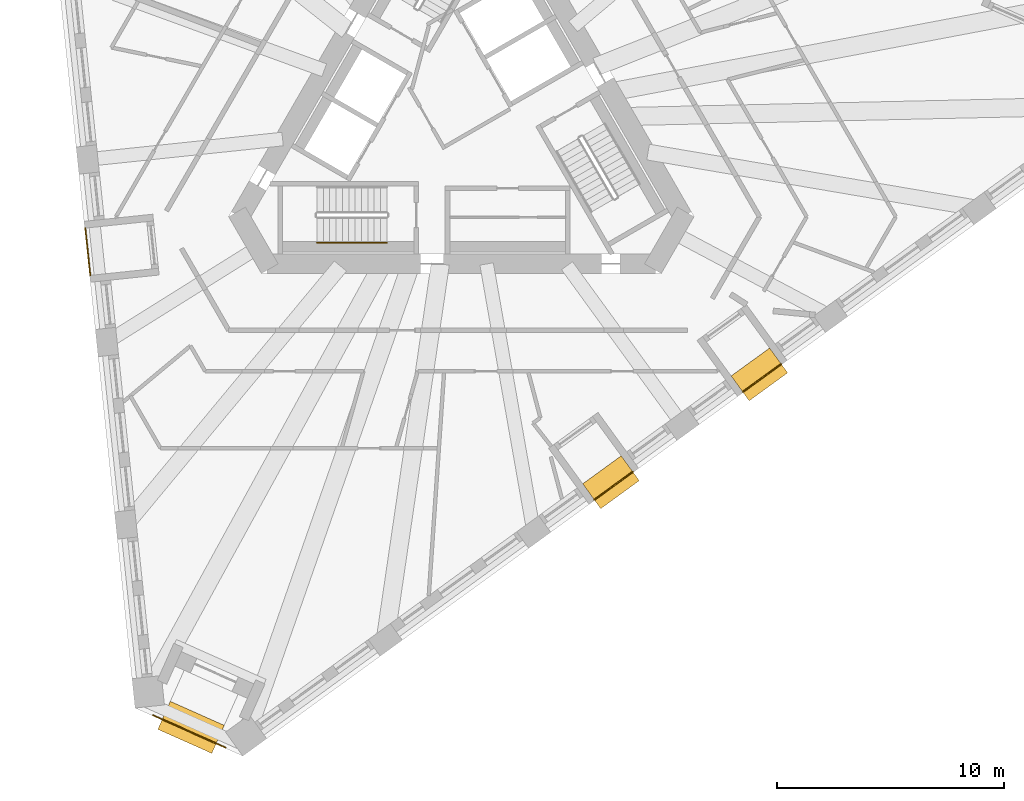
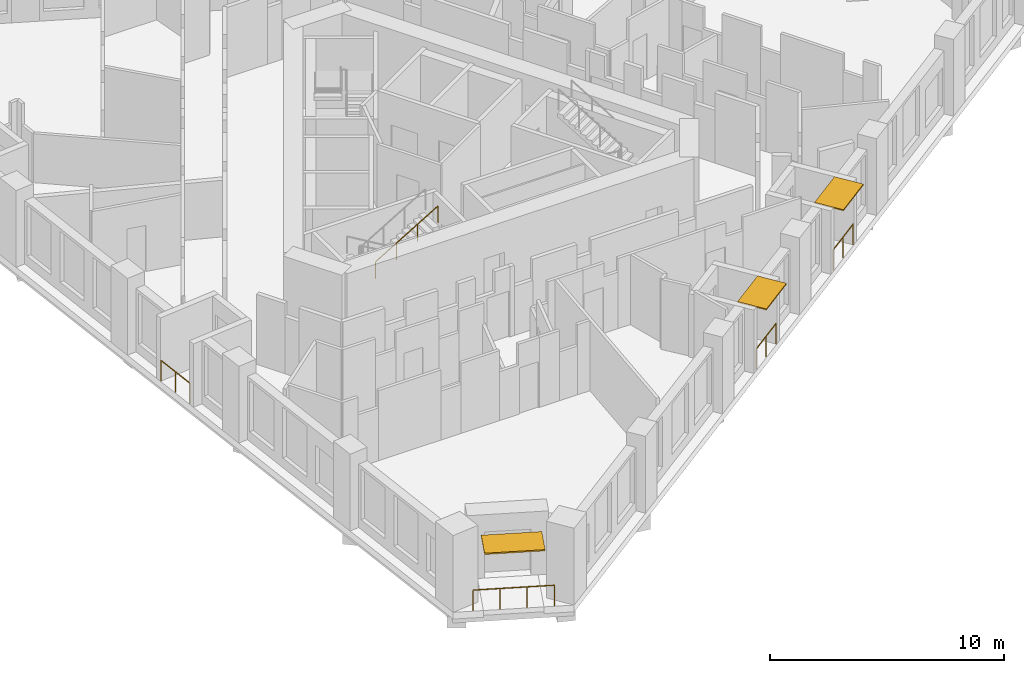
# One storey, part 10 of 14: 5 railings, 3 shading devices.
"""IFC4 building model written with IfcOpenShell, lengths in metres."""

from ifc_helpers import new_model, si_unit, direction, frame, origin, origin_2d, place, context, subcontext, project, spatial, rectangle, circle, extrude, material, layer, layer_set, type_object, element, save


model = new_model("IFC4")

# Units and contexts
model_context = context("Model", 3, precision=1e-05, world=origin(), true_north=direction((0.0, 1.0)))
body_context = subcontext(model_context, "Body", "Model", "MODEL_VIEW")
ifc_project = project(units=[si_unit("LENGTHUNIT", "METRE"), si_unit("AREAUNIT", "SQUARE_METRE"), si_unit("VOLUMEUNIT", "CUBIC_METRE"), si_unit("PLANEANGLEUNIT", "RADIAN"), si_unit("MASSUNIT", "GRAM", prefix="KILO")], contexts=[model_context])

# Site, building, storey
site_placement = place(None, origin())
site = spatial("IfcSite", under=ifc_project, at=site_placement, CompositionType="ELEMENT")
building_placement = place(site_placement, origin())
building = spatial("IfcBuilding", under=site, at=building_placement, Name="Tramontana Tower", CompositionType="ELEMENT")
storey_placement = place(building_placement, frame((0.0, 0.0, 190.800048828125)))
storey = spatial("IfcBuildingStorey", under=building, at=storey_placement, Name="L44", CompositionType="ELEMENT", Elevation=190.800048828125)

# Railings
ifc_material_1 = material(Name="Laminated glass balustrade", Category="glass")
railing_type_1 = type_object("IfcRailingType", Name="GD1 Loggia glass balustrade 1100", PredefinedType="BALUSTRADE", material=ifc_material_1)
railing_1_placement = place(storey_placement, frame((-16.56396484375, -4.751708984375, 0.0)))
element("IfcRailing", 1, at=railing_1_placement, inside=storey, type_object=railing_type_1, Name="Loggia balustrade L44 G4S0.10", PredefinedType="BALUSTRADE", context=body_context, shape_type="SweptSolid", body=[
    extrude(circle(Radius=0.02392578125, at=origin_2d()), frame((0.0, 0.0, 1.076171875), z_axis=(0.104454180193, -0.994529700029, 0.0), x_axis=(0.994529700029, 0.104454180193, 0.0)), (0.0, 0.0, 1.0), 2.09423828125),
    extrude(circle(Radius=0.02099609375, at=origin_2d()), origin(), (0.0, 0.0, 1.0), 1.052001953125),
    extrude(circle(Radius=0.02099609375, at=origin_2d()), frame((0.109375, -1.04150390625, 0.0)), (0.0, 0.0, 1.0), 1.052001953125),
    extrude(circle(Radius=0.02099609375, at=origin_2d()), frame((0.21875, -2.082763671875, 0.0)), (0.0, 0.0, 1.0), 1.052001953125),
])
for number, where, name in (
    (2, (5.85791015625, -16.719970703125, 0.0), "Loggia balustrade L44 G4S1.7"),
    (3, (12.397216796875, -11.968994140625, 0.0), "Loggia balustrade L44 G4S1.10"),
):
    element("IfcRailing", number, at=place(storey_placement, frame(where)), inside=storey, type_object=railing_type_1, Name=name, PredefinedType="BALUSTRADE", context=body_context, shape_type="SweptSolid", body=[
        extrude(circle(Radius=0.02392578125, at=origin_2d()), frame((0.0, 0.0, 1.076171875), z_axis=(0.809028366311, 0.587769599847, 0.0), x_axis=(-0.587769599847, 0.809028366311, 0.0)), (0.0, 0.0, 1.0), 2.09423828125),
        extrude(circle(Radius=0.02099609375, at=origin_2d()), origin(), (0.0, 0.0, 1.0), 1.052001953125),
        extrude(circle(Radius=0.02099609375, at=origin_2d()), frame((0.84716796875, 0.615478515625, 0.0)), (0.0, 0.0, 1.0), 1.052001953125),
        extrude(circle(Radius=0.02099609375, at=origin_2d()), frame((1.6943359375, 1.23095703125, 0.0)), (0.0, 0.0, 1.0), 1.052001953125),
    ])
railing_2_placement = place(storey_placement, frame((-10.387939453125, -27.634033203125, 0.0)))
element("IfcRailing", 4, at=railing_2_placement, inside=storey, type_object=railing_type_1, Name="Corner loggia balustrade L44 K41", PredefinedType="BALUSTRADE", context=body_context, shape_type="SweptSolid", body=[
    extrude(circle(Radius=0.02392578125, at=origin_2d()), frame((0.0, 0.0, 1.076171875), z_axis=(-0.913538066796, 0.406753242783, 0.0), x_axis=(-0.406753242783, -0.913538066796, 0.0)), (0.0, 0.0, 1.0), 3.499755859375),
    extrude(circle(Radius=0.02099609375, at=origin_2d()), origin(), (0.0, 0.0, 1.0), 1.052001953125),
    extrude(circle(Radius=0.02099609375, at=origin_2d()), frame((-1.065673828125, 0.474609375, 0.0)), (0.0, 0.0, 1.0), 1.052001953125),
    extrude(circle(Radius=0.02099609375, at=origin_2d()), frame((-2.131591796875, 0.948974609375, 0.0)), (0.0, 0.0, 1.0), 1.052001953125),
    extrude(circle(Radius=0.02099609375, at=origin_2d()), frame((-3.197265625, 1.423583984375, 0.0)), (0.0, 0.0, 1.0), 1.052001953125),
])

# Shading devices
ifc_material_2 = material(Name="Precast concrete 60 MPa", Category="concrete")
ifc_layer_1 = layer(ifc_material_2, 0.06005859375)
ifc_layer_set_1 = layer_set([ifc_layer_1], Name="SS1 Stone sunshade blade 60")
shading_device_type_1 = type_object("IfcShadingDeviceType", Name="SS1 Stone sunshade blade 60", PredefinedType="USERDEFINED", material=ifc_layer_set_1)
for number, where, z_axis, x_axis, name in (
    (5, (6.590576171875, -15.94677734375, 3.239990234375), (0.0, 0.0, 1.0), (0.809016994375, 0.587785252292, 0.0), "Sunshade L44 G4S1.7"),
    (6, (13.129638671875, -11.19580078125, 3.239990234375), (0.0, 0.0, 1.0), (0.809016994375, 0.587785252292, 0.0), "Sunshade L44 G4S1.10"),
):
    element("IfcShadingDevice", number, at=place(storey_placement, frame(where, z_axis=z_axis, x_axis=x_axis)), inside=storey, type_object=shading_device_type_1, Name=name, ObjectType="SUNSHADE", PredefinedType="USERDEFINED", context=body_context, shape_type="SweptSolid", body=[
        extrude(rectangle(XDim=2.09423828125, YDim=1.35009765625, at=origin_2d()), origin(), (0.0, 0.0, 1.0), 0.06005859375),
    ])
ifc_material_3 = material(Name="Precast concrete 60 MPa", Category="concrete")
ifc_layer_2 = layer(ifc_material_3, 0.070068359375)
ifc_layer_set_2 = layer_set([ifc_layer_2], Name="SS2 Stone sunshade blade 70")
shading_device_type_2 = type_object("IfcShadingDeviceType", Name="SS2 Stone sunshade blade 70", PredefinedType="USERDEFINED", material=ifc_layer_set_2)
shading_device_placement = place(storey_placement, frame((-11.9072265625, -26.744140625, 3.22998046875), z_axis=(0.0, 0.0, 1.0), x_axis=(-0.913545457643, 0.406736643076, 0.0)))
element("IfcShadingDevice", 7, at=shading_device_placement, inside=storey, type_object=shading_device_type_2, Name="Corner sunshade L44 K41", ObjectType="SUNSHADE", PredefinedType="USERDEFINED", context=body_context, shape_type="SweptSolid", body=[
    extrude(rectangle(XDim=2.60009765625, YDim=1.35009765625, at=origin_2d()), origin(), (0.0, 0.0, 1.0), 0.070068359375),
])

# Railing
ifc_material_4 = material(Name="Painted steel", Category="steel")
railing_type_2 = type_object("IfcRailingType", Name="STAIR HANDRAIL 900", PredefinedType="HANDRAIL", material=ifc_material_4)
railing_3_placement = place(storey_placement, frame((-6.360107421875, -5.39990234375, 2.16650390625)))
element("IfcRailing", 8, at=railing_3_placement, inside=storey, type_object=railing_type_2, Name="L44 ST2 stair handrail 2", PredefinedType="HANDRAIL", context=body_context, shape_type="SweptSolid", body=[
    extrude(circle(Radius=0.02392578125, at=origin_2d()), frame((0.0, 0.0, 0.8759765625), z_axis=(0.85927862911, 0.0, 0.511507807912), x_axis=(0.0, 1.0, 0.0)), (0.0, 0.0, 1.0), 3.58447265625),
    extrude(circle(Radius=0.02099609375, at=origin_2d()), origin(), (0.0, 0.0, 1.0), 0.851806640625),
    extrude(circle(Radius=0.02099609375, at=origin_2d()), frame((1.026611328125, 0.0, 0.611083984375)), (0.0, 0.0, 1.0), 0.851806640625),
    extrude(circle(Radius=0.02099609375, at=origin_2d()), frame((2.053466796875, 0.0, 1.222412109375)), (0.0, 0.0, 1.0), 0.851806640625),
    extrude(circle(Radius=0.02099609375, at=origin_2d()), frame((3.080078125, 0.0, 1.83349609375)), (0.0, 0.0, 1.0), 0.851806640625),
])

save(model, "model.ifc")
